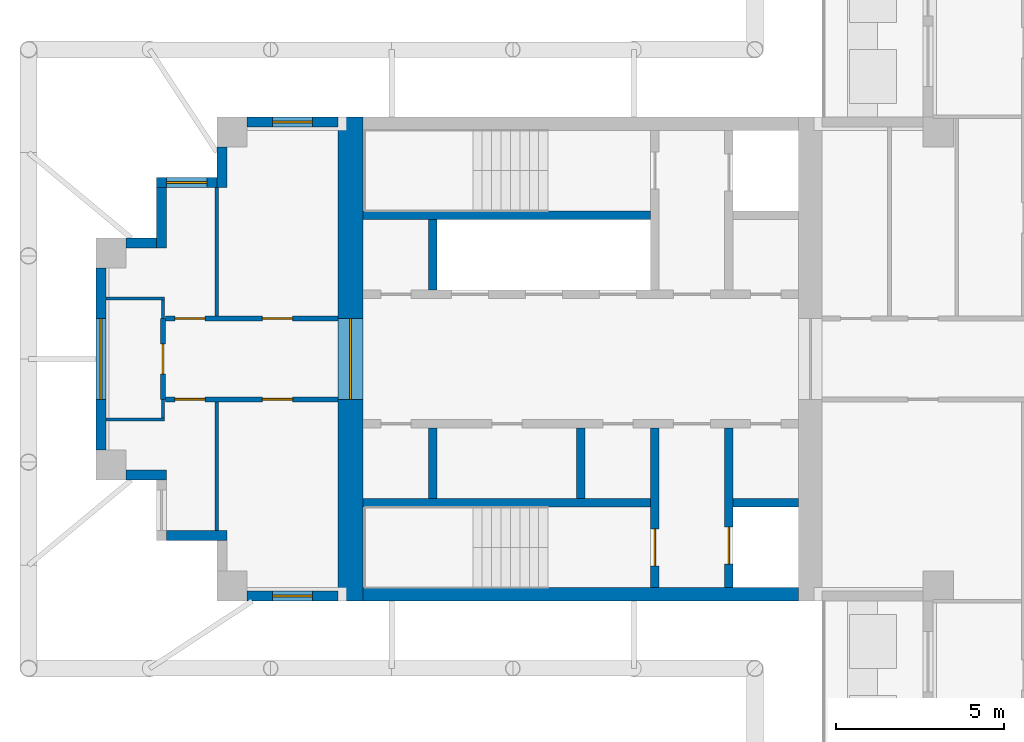
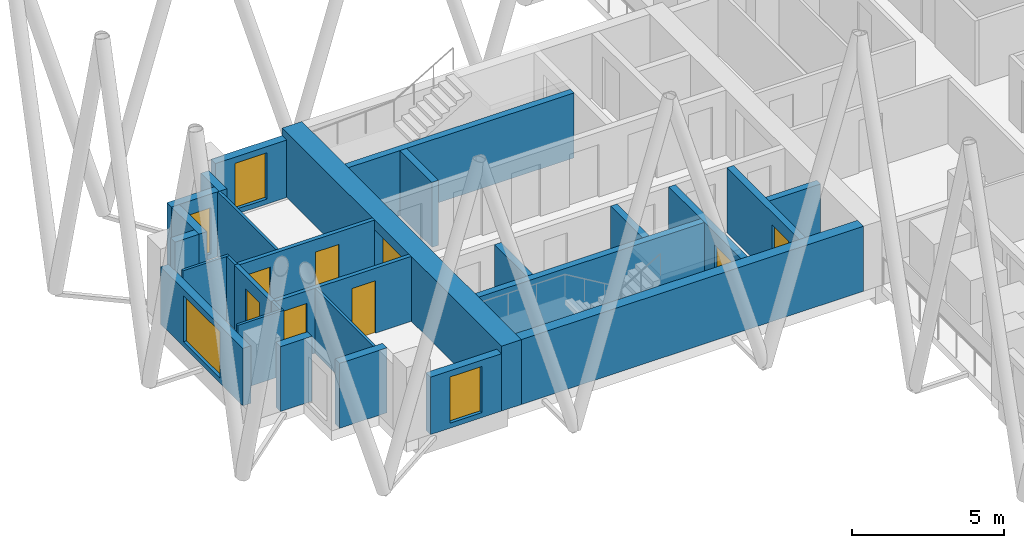
# One storey, part 3 of 11: 28 walls, 8 doors, 4 windows, 12 openings.
"""IFC4 building model written with IfcOpenShell, lengths in metres."""

import ifcopenshell
import ifcopenshell.guid

model = None  # the IFC model being written
_history = None  # IfcOwnerHistory: only IFC2X3 demands one
_inside = {}  # id of a spatial element -> (the spatial element, [elements in it])
_under = {}  # id of a project, library or spatial element -> (it, [spatial elements below it])
_declared = {}  # id of a project -> (the project, [libraries it declares])
_typed = {}  # id of a type object -> (the type object, [elements of that type])
_made_of = {}  # id of a material, layer set ... -> (it, [elements and type objects made of it])


def new_model(schema):
    """Start an empty IFC model of exactly this schema.

    Asked for "IFC4X3", IfcOpenShell would pick the latest addendum, in which some entities
    have other attributes; the version numbers below select the first issue.
    IFC2X3 requires an IfcOwnerHistory on every rooted entity: one is made here for all.
    """
    global model, _history
    if schema == "IFC4X3":
        model = ifcopenshell.file(schema_version=(4, 3, 0, 0))
    else:
        model = ifcopenshell.file(schema=schema)
    _inside.clear()
    _under.clear()
    _declared.clear()
    _typed.clear()
    _made_of.clear()
    _history = None
    if model.schema == "IFC2X3":
        org = make("IfcOrganization", Name="unknown")
        user = make(
            "IfcPersonAndOrganization",
            ThePerson=make("IfcPerson", FamilyName="unknown"),
            TheOrganization=org,
        )
        app = make(
            "IfcApplication",
            ApplicationDeveloper=org,
            Version="unknown",
            ApplicationFullName="unknown",
            ApplicationIdentifier="unknown",
        )
        _history = make(
            "IfcOwnerHistory",
            OwningUser=user,
            OwningApplication=app,
            ChangeAction="ADDED",
            CreationDate=0,
        )
    return model


def make(cls, **values):
    """One entity of the class cls with the attributes given. An attribute that is None is left unset."""
    return model.create_entity(
        cls, **{name: value for name, value in values.items() if value is not None}
    )


def rooted(cls, **values):
    """An entity with a GlobalId (a new one), such as an element, a storey or a relation."""
    return make(cls, GlobalId=ifcopenshell.guid.new(), OwnerHistory=_history, **values)


def si_unit(unit_type, name, prefix=None):
    """IfcSIUnit, for example si_unit("LENGTHUNIT", "METRE", prefix="MILLI")."""
    return make("IfcSIUnit", UnitType=unit_type, Prefix=prefix, Name=name)


def assignment(units):
    """IfcUnitAssignment: the units of a project."""
    return None if units is None else make("IfcUnitAssignment", Units=units)


def point(xyz):
    """IfcCartesianPoint."""
    return None if xyz is None else make("IfcCartesianPoint", Coordinates=xyz)


def direction(xyz):
    """IfcDirection."""
    return None if xyz is None else make("IfcDirection", DirectionRatios=xyz)


def frame(location, z_axis=None, x_axis=None):
    """IfcAxis2Placement3D, a coordinate frame: its origin and axes. An axis left out is left unset."""
    return make(
        "IfcAxis2Placement3D",
        Location=point(location),
        Axis=direction(z_axis),
        RefDirection=direction(x_axis),
    )


def frame_2d(location, x_axis=None):
    """IfcAxis2Placement2D, a coordinate frame in the plane: its origin and x axis."""
    return make(
        "IfcAxis2Placement2D", Location=point(location), RefDirection=direction(x_axis)
    )


def origin():
    """The frame at (0, 0, 0) with its axes left unset."""
    return frame((0.0, 0.0, 0.0))


def place(relative_to, where):
    """IfcLocalPlacement: puts the frame where relative to a parent placement (None: the world)."""
    return make(
        "IfcLocalPlacement", PlacementRelTo=relative_to, RelativePlacement=where
    )


def context(
    kind, dimensions, precision=None, world=None, true_north=None, identifier=None
):
    """IfcGeometricRepresentationContext, for example the 3D "Model" context."""
    return make(
        "IfcGeometricRepresentationContext",
        ContextIdentifier=identifier,
        ContextType=kind,
        CoordinateSpaceDimension=dimensions,
        Precision=precision,
        WorldCoordinateSystem=world,
        TrueNorth=true_north,
    )


def subcontext(parent, identifier, kind, view, scale=None):
    """IfcGeometricRepresentationSubContext, for example "Body" below "Model"."""
    return make(
        "IfcGeometricRepresentationSubContext",
        ContextIdentifier=identifier,
        ContextType=kind,
        ParentContext=parent,
        TargetScale=scale,
        TargetView=view,
    )


def project(units=None, contexts=None):
    """IfcProject with its units and contexts."""
    return rooted(
        "IfcProject",
        Name="project",
        RepresentationContexts=contexts,
        UnitsInContext=assignment(units),
    )


def spatial(cls, under=None, at=None, **own):
    """A site, building, storey or space (cls), placed at a placement, below another one or the project."""
    s = rooted(cls, ObjectPlacement=at, **own)
    if under is not None:
        _under.setdefault(under.id(), (under, []))[1].append(s)
    return s


def profile(cls, at=None, kind="AREA", **sizes):
    """A parametric profile (cls). Its sizes go by their IFC names, for example OverallWidth=200.0."""
    return make(cls, ProfileType=kind, Position=at, **sizes)


def rectangle(**sizes):
    """IfcRectangleProfileDef."""
    return profile("IfcRectangleProfileDef", **sizes)


def extrude(swept, where, along, depth):
    """IfcExtrudedAreaSolid: the profile swept, set in the frame where, extruded along a direction by depth."""
    return make(
        "IfcExtrudedAreaSolid",
        SweptArea=swept,
        Position=where,
        ExtrudedDirection=direction(along),
        Depth=depth,
    )


def shape(context_of_items, identifier, shape_type, items):
    """IfcShapeRepresentation: the items that make up one representation, for example the "Body"."""
    return make(
        "IfcShapeRepresentation",
        ContextOfItems=context_of_items,
        RepresentationIdentifier=identifier,
        RepresentationType=shape_type,
        Items=items,
    )


def material(Name=None, Category=None):
    """IfcMaterial."""
    return make("IfcMaterial", Name=Name, Category=Category)


def layer(
    of_material, thickness, ventilated=None, Name=None, Category=None, Priority=None
):
    """IfcMaterialLayer: one layer of a wall or slab, of a material (None: an air gap)."""
    return make(
        "IfcMaterialLayer",
        Material=of_material,
        LayerThickness=thickness,
        IsVentilated=ventilated,
        Name=Name,
        Category=Category,
        Priority=Priority,
    )


def layer_set(layers, Name=None):
    """IfcMaterialLayerSet."""
    return make("IfcMaterialLayerSet", MaterialLayers=layers, LayerSetName=Name)


def made_of(thing, what):
    """Note that an element or type object is made of a material, layer set ...; save() writes the relation."""
    if what is not None:
        _made_of.setdefault(what.id(), (what, []))[1].append(thing)
    return thing


def type_object(cls, material=None, **own):
    """A type object (cls), such as IfcWallType, which elements share."""
    return made_of(rooted(cls, **own), material)


def element(
    cls,
    number,
    at=None,
    inside=None,
    cuts=None,
    type_object=None,
    material=None,
    context=None,
    identifier="Body",
    shape_type=None,
    held_by="IfcProductDefinitionShape",
    body=None,
    shapes=None,
    **own,
):
    """One element of the class cls, such as IfcWall. Its Tag is "e" and its number.

    at: its placement. inside: the storey or other place that contains it. cuts: it is an
    opening in that element (IfcRelVoidsElement). A single representation is given by context,
    identifier, shape_type and body (its items); several are given by shapes. held_by: the class
    of the entity that holds the representations. save() writes the other relations.
    """
    e = rooted(cls, Tag="e%d" % number, ObjectPlacement=at, **own)
    if body is not None:
        shapes = [shape(context, identifier, shape_type, body)]
    if shapes is not None:
        e.Representation = make(held_by, Representations=shapes)
    if inside is not None:
        _inside.setdefault(inside.id(), (inside, []))[1].append(e)
    if cuts is not None:
        rooted(
            "IfcRelVoidsElement", RelatingBuildingElement=cuts, RelatedOpeningElement=e
        )
    if type_object is not None:
        _typed.setdefault(type_object.id(), (type_object, []))[1].append(e)
    return made_of(e, material)


def fill(opening, filler):
    """IfcRelFillsElement: the door or window that sits in an opening."""
    return rooted(
        "IfcRelFillsElement",
        RelatingOpeningElement=opening,
        RelatedBuildingElement=filler,
    )


def aggregate(whole, parts):
    """IfcRelAggregates: a whole, such as a stair, and the parts it consists of."""
    return rooted("IfcRelAggregates", RelatingObject=whole, RelatedObjects=parts)


def save(model, path):
    """Write the relations noted so far, then the file.

    IfcRelAggregates (storeys below a building ...), IfcRelContainedInSpatialStructure (elements
    in a storey), IfcRelDefinesByType, IfcRelAssociatesMaterial and IfcRelDeclares: one each for
    every whole, place, type object, material and project.
    """
    for whole, parts in _under.values():
        aggregate(whole, parts)
    for where, things in _inside.values():
        rooted(
            "IfcRelContainedInSpatialStructure",
            RelatedElements=things,
            RelatingStructure=where,
        )
    for kind, things in _typed.values():
        rooted("IfcRelDefinesByType", RelatedObjects=things, RelatingType=kind)
    for what, things in _made_of.values():
        rooted("IfcRelAssociatesMaterial", RelatedObjects=things, RelatingMaterial=what)
    for by, libraries in _declared.values():
        rooted("IfcRelDeclares", RelatingContext=by, RelatedDefinitions=libraries)
    model.write(path)


model = new_model("IFC4")

# Units and contexts
model_context = context("Model", 3, precision=1e-05, world=origin(), true_north=direction((0.0, 1.0)))
body_context = subcontext(model_context, "Body", "Model", "MODEL_VIEW")
ifc_project = project(units=[si_unit("LENGTHUNIT", "METRE"), si_unit("AREAUNIT", "SQUARE_METRE"), si_unit("VOLUMEUNIT", "CUBIC_METRE"), si_unit("PLANEANGLEUNIT", "RADIAN"), si_unit("MASSUNIT", "GRAM", prefix="KILO")], contexts=[model_context])

# Site, building, storey
site_placement = place(None, origin())
site = spatial("IfcSite", under=ifc_project, at=site_placement, CompositionType="ELEMENT")
building_placement = place(site_placement, origin())
building = spatial("IfcBuilding", under=site, at=building_placement, Name="Fustian Cross Tower", CompositionType="ELEMENT")
storey_placement = place(building_placement, frame((0.0, 0.0, 210.89990234375)))
storey = spatial("IfcBuildingStorey", under=building, at=storey_placement, Name="L66", CompositionType="ELEMENT", Elevation=210.89990234375)

# Wall, opening, door
ifc_material_1 = material(Name="Plasterboard on steel stud", Category="steel")
ifc_layer_1 = layer(ifc_material_1, 0.14990234375)
ifc_layer_set_1 = layer_set([ifc_layer_1], Name="Plasterboard on steel stud")
wall_type_1 = type_object("IfcWallType", Name="COMPARTMENT WALL 150 EI 60", PredefinedType="PARTITIONING", material=ifc_layer_set_1)
wall_1_placement = place(storey_placement, frame((-26.800048828125, -1.199951171875, 0.0), z_axis=(0.0, 0.0, 1.0), x_axis=(0.0, 1.0, 0.0)))
wall_1 = element("IfcWall", 1, at=wall_1_placement, inside=storey, type_object=wall_type_1, Name="Partition 4", PredefinedType="PARTITIONING", context=body_context, shape_type="SweptSolid", body=[
    extrude(rectangle(XDim=2.39990234375, YDim=0.14990234375, at=frame_2d((1.199951171875, 0.0))), origin(), (0.0, 0.0, 1.0), 2.60009765625),
])
opening_1_placement = place(wall_1_placement, frame((0.75, 0.0, 0.0)))
opening_1 = element("IfcOpeningElement", 2, at=opening_1_placement, cuts=wall_1, Name="Opening D30025", PredefinedType="OPENING", context=body_context, shape_type="SweptSolid", body=[
    extrude(rectangle(XDim=0.89990234375, YDim=2.10009765625, at=frame_2d((0.449951171875, 1.050048828125))), frame((0.0, 0.0849609375, 0.0), z_axis=(0.0, -1.0, 0.0), x_axis=(1.0, 0.0, 0.0)), (0.0, 0.0, 1.0), 0.169921875),
])
ifc_material_2 = material(Name="Timber fire door set", Category="wood")
door_type_1 = type_object("IfcDoorType", Name="FIRE SWING DOOR 900 FD30S", OperationType="SINGLE_SWING_LEFT", PredefinedType="DOOR", material=ifc_material_2)
door_1_placement = place(opening_1_placement, origin())
door_1 = element("IfcDoor", 3, at=door_1_placement, inside=storey, type_object=door_type_1, Name="Door D30025", OperationType="SINGLE_SWING_LEFT", OverallHeight=2.10009765625, OverallWidth=0.89990234375, PredefinedType="DOOR", context=body_context, shape_type="SweptSolid", body=[
    extrude(rectangle(XDim=0.89990234375, YDim=2.10009765625, at=frame_2d((0.449951171875, 1.050048828125))), frame((0.0, 0.02490234375, 0.0), z_axis=(0.0, -1.0, 0.0), x_axis=(1.0, 0.0, 0.0)), (0.0, 0.0, 1.0), 0.050048828125),
])
fill(opening_1, door_1)

# Wall, openings, doors
wall_2_placement = place(storey_placement, frame((-26.72509765625, -1.199951171875, 0.0), z_axis=(0.0, 0.0, 1.0), x_axis=(1.0, 0.0, 0.0)))
wall_2 = element("IfcWall", 4, at=wall_2_placement, inside=storey, type_object=wall_type_1, Name="Partition 5", PredefinedType="PARTITIONING", context=body_context, shape_type="SweptSolid", body=[
    extrude(rectangle(XDim=5.125, YDim=0.14990234375, at=frame_2d((2.5625, 0.0))), origin(), (0.0, 0.0, 1.0), 2.60009765625),
])
opening_2_placement = place(wall_2_placement, frame((2.875, 0.0, 0.0)))
opening_2 = element("IfcOpeningElement", 5, at=opening_2_placement, cuts=wall_2, Name="Opening D30026", PredefinedType="OPENING", context=body_context, shape_type="SweptSolid", body=[
    extrude(rectangle(XDim=0.89990234375, YDim=2.10009765625, at=frame_2d((0.449951171875, 1.050048828125))), frame((0.0, 0.0849609375, 0.0), z_axis=(0.0, -1.0, 0.0), x_axis=(1.0, 0.0, 0.0)), (0.0, 0.0, 1.0), 0.169921875),
])
opening_3_placement = place(wall_2_placement, frame((0.27490234375, 0.0, 0.0)))
opening_3 = element("IfcOpeningElement", 6, at=opening_3_placement, cuts=wall_2, Name="Opening D30027", PredefinedType="OPENING", context=body_context, shape_type="SweptSolid", body=[
    extrude(rectangle(XDim=0.89990234375, YDim=2.10009765625, at=frame_2d((0.449951171875, 1.050048828125))), frame((0.0, 0.0849609375, 0.0), z_axis=(0.0, -1.0, 0.0), x_axis=(1.0, 0.0, 0.0)), (0.0, 0.0, 1.0), 0.169921875),
])
door_2_placement = place(opening_2_placement, frame((0.89990234375, 0.0, 0.0), z_axis=(0.0, 0.0, 1.0), x_axis=(-1.0, 0.0, 0.0)))
door_2 = element("IfcDoor", 7, at=door_2_placement, inside=storey, type_object=door_type_1, Name="Door D30026", OperationType="SINGLE_SWING_RIGHT", OverallHeight=2.10009765625, OverallWidth=0.89990234375, PredefinedType="DOOR", context=body_context, shape_type="SweptSolid", body=[
    extrude(rectangle(XDim=0.89990234375, YDim=2.10009765625, at=frame_2d((0.449951171875, 1.050048828125))), frame((0.0, 0.02490234375, 0.0), z_axis=(0.0, -1.0, 0.0), x_axis=(1.0, 0.0, 0.0)), (0.0, 0.0, 1.0), 0.050048828125),
])
fill(opening_2, door_2)
door_3_placement = place(opening_3_placement, frame((0.89990234375, 0.0, 0.0), z_axis=(0.0, 0.0, 1.0), x_axis=(-1.0, 0.0, 0.0)))
door_3 = element("IfcDoor", 8, at=door_3_placement, inside=storey, type_object=door_type_1, Name="Door D30027", OperationType="SINGLE_SWING_RIGHT", OverallHeight=2.10009765625, OverallWidth=0.89990234375, PredefinedType="DOOR", context=body_context, shape_type="SweptSolid", body=[
    extrude(rectangle(XDim=0.89990234375, YDim=2.10009765625, at=frame_2d((0.449951171875, 1.050048828125))), frame((0.0, 0.02490234375, 0.0), z_axis=(0.0, -1.0, 0.0), x_axis=(1.0, 0.0, 0.0)), (0.0, 0.0, 1.0), 0.050048828125),
])
fill(opening_3, door_3)

wall_3_placement = place(storey_placement, frame((-26.72509765625, 1.199951171875, 0.0), z_axis=(0.0, 0.0, 1.0), x_axis=(1.0, 0.0, 0.0)))
wall_3 = element("IfcWall", 9, at=wall_3_placement, inside=storey, type_object=wall_type_1, Name="Partition 7", PredefinedType="PARTITIONING", context=body_context, shape_type="SweptSolid", body=[
    extrude(rectangle(XDim=5.125, YDim=0.14990234375, at=frame_2d((2.5625, 0.0))), origin(), (0.0, 0.0, 1.0), 2.60009765625),
])
opening_4_placement = place(wall_3_placement, frame((2.875, 0.0, 0.0)))
opening_4 = element("IfcOpeningElement", 10, at=opening_4_placement, cuts=wall_3, Name="Opening D30028", PredefinedType="OPENING", context=body_context, shape_type="SweptSolid", body=[
    extrude(rectangle(XDim=0.89990234375, YDim=2.10009765625, at=frame_2d((0.449951171875, 1.050048828125))), frame((0.0, 0.0849609375, 0.0), z_axis=(0.0, -1.0, 0.0), x_axis=(1.0, 0.0, 0.0)), (0.0, 0.0, 1.0), 0.169921875),
])
opening_5_placement = place(wall_3_placement, frame((0.27490234375, 0.0, 0.0)))
opening_5 = element("IfcOpeningElement", 11, at=opening_5_placement, cuts=wall_3, Name="Opening D30029", PredefinedType="OPENING", context=body_context, shape_type="SweptSolid", body=[
    extrude(rectangle(XDim=0.89990234375, YDim=2.10009765625, at=frame_2d((0.449951171875, 1.050048828125))), frame((0.0, 0.0849609375, 0.0), z_axis=(0.0, -1.0, 0.0), x_axis=(1.0, 0.0, 0.0)), (0.0, 0.0, 1.0), 0.169921875),
])
door_4_placement = place(opening_4_placement, origin())
door_4 = element("IfcDoor", 12, at=door_4_placement, inside=storey, type_object=door_type_1, Name="Door D30028", OperationType="SINGLE_SWING_LEFT", OverallHeight=2.10009765625, OverallWidth=0.89990234375, PredefinedType="DOOR", context=body_context, shape_type="SweptSolid", body=[
    extrude(rectangle(XDim=0.89990234375, YDim=2.10009765625, at=frame_2d((0.449951171875, 1.050048828125))), frame((0.0, 0.02490234375, 0.0), z_axis=(0.0, -1.0, 0.0), x_axis=(1.0, 0.0, 0.0)), (0.0, 0.0, 1.0), 0.050048828125),
])
fill(opening_4, door_4)
door_5_placement = place(opening_5_placement, origin())
door_5 = element("IfcDoor", 13, at=door_5_placement, inside=storey, type_object=door_type_1, Name="Door D30029", OperationType="SINGLE_SWING_LEFT", OverallHeight=2.10009765625, OverallWidth=0.89990234375, PredefinedType="DOOR", context=body_context, shape_type="SweptSolid", body=[
    extrude(rectangle(XDim=0.89990234375, YDim=2.10009765625, at=frame_2d((0.449951171875, 1.050048828125))), frame((0.0, 0.02490234375, 0.0), z_axis=(0.0, -1.0, 0.0), x_axis=(1.0, 0.0, 0.0)), (0.0, 0.0, 1.0), 0.050048828125),
])
fill(opening_5, door_5)

# Wall, opening, door
ifc_material_3 = material(Name="Concrete C50/60", Category="concrete")
ifc_layer_2 = layer(ifc_material_3, 0.75)
ifc_layer_set_2 = layer_set([ifc_layer_2], Name="Concrete C50/60")
wall_type_2 = type_object("IfcWallType", Name="CORE END WALL 750 C50/60", PredefinedType="SHEAR", material=ifc_layer_set_2)
wall_4_placement = place(storey_placement, frame((-21.22509765625, -7.199951171875, 0.0), z_axis=(0.0, 0.0, 1.0), x_axis=(0.0, 1.0, 0.0)))
wall_4 = element("IfcWall", 14, at=wall_4_placement, inside=storey, type_object=wall_type_2, Name="Core end wall", PredefinedType="SHEAR", context=body_context, shape_type="SweptSolid", body=[
    extrude(rectangle(XDim=14.39990234375, YDim=0.75, at=frame_2d((7.199951171875, 0.0))), origin(), (0.0, 0.0, 1.0), 2.60009765625),
])
opening_6_placement = place(wall_4_placement, frame((6.0, 0.0, 0.0)))
opening_6 = element("IfcOpeningElement", 15, at=opening_6_placement, cuts=wall_4, Name="Opening CD-28-30", PredefinedType="OPENING", context=body_context, shape_type="SweptSolid", body=[
    extrude(rectangle(XDim=2.39990234375, YDim=2.199951171875, at=frame_2d((1.199951171875, 1.10009765625))), frame((0.0, 0.385009765625, 0.0), z_axis=(0.0, -1.0, 0.0), x_axis=(1.0, 0.0, 0.0)), (0.0, 0.0, 1.0), 0.77001953125),
])
ifc_material_4 = material(Name="Steel", Category="steel")
door_type_2 = type_object("IfcDoorType", Name="FIRE DOOR FD30S DOUBLE 2400X2200", OperationType="DOUBLE_DOOR_DOUBLE_SWING", PredefinedType="DOOR", material=ifc_material_4)
door_6_placement = place(opening_6_placement, frame((2.39990234375, 0.0, 0.0), z_axis=(0.0, 0.0, 1.0), x_axis=(-1.0, 0.0, 0.0)))
door_6 = element("IfcDoor", 16, at=door_6_placement, inside=storey, type_object=door_type_2, Name="Core door CD-28-30", OperationType="DOUBLE_DOOR_DOUBLE_SWING", OverallHeight=2.199951171875, OverallWidth=2.39990234375, PredefinedType="DOOR", context=body_context, shape_type="SweptSolid", body=[
    extrude(rectangle(XDim=2.39990234375, YDim=2.199951171875, at=frame_2d((1.199951171875, 1.10009765625))), frame((0.0, 0.02490234375, 0.0), z_axis=(0.0, -1.0, 0.0), x_axis=(1.0, 0.0, 0.0)), (0.0, 0.0, 1.0), 0.050048828125),
])
fill(opening_6, door_6)

# Walls
ifc_material_5 = material(Name="Concrete C50/60", Category="concrete")
ifc_layer_3 = layer(ifc_material_5, 0.39990234375)
ifc_layer_set_3 = layer_set([ifc_layer_3], Name="Concrete C50/60")
wall_type_3 = type_object("IfcWallType", Name="CORE FACADE WALL 400 C50/60", PredefinedType="SHEAR", material=ifc_layer_set_3)
wall_5_placement = place(storey_placement, frame((-7.89990234375, -7.0, 0.0), z_axis=(0.0, 0.0, 1.0), x_axis=(-1.0, 0.0, 0.0)))
element("IfcWall", 17, at=wall_5_placement, inside=storey, type_object=wall_type_3, Name="Core facade wall", PredefinedType="SHEAR", context=body_context, shape_type="SweptSolid", body=[
    extrude(rectangle(XDim=12.9501953125, YDim=0.39990234375, at=frame_2d((6.47509765625, 0.0))), origin(), (0.0, 0.0, 1.0), 2.60009765625),
])
ifc_material_6 = material(Name="Concrete C50/60", Category="concrete")
ifc_layer_4 = layer(ifc_material_6, 0.25)
ifc_layer_set_4 = layer_set([ifc_layer_4], Name="Concrete C50/60")
wall_type_4 = type_object("IfcWallType", Name="CORE SHAFT WALL 250 C50/60", PredefinedType="SHEAR", material=ifc_layer_set_4)
wall_6_placement = place(storey_placement, frame((-12.300048828125, 4.27490234375, 0.0), z_axis=(0.0, 0.0, 1.0), x_axis=(-1.0, 0.0, 0.0)))
element("IfcWall", 18, at=wall_6_placement, inside=storey, type_object=wall_type_4, Name="Core shaft wall", PredefinedType="SHEAR", context=body_context, shape_type="SweptSolid", body=[
    extrude(rectangle(XDim=8.550048828125, YDim=0.25, at=frame_2d((4.27490234375, 0.0))), origin(), (0.0, 0.0, 1.0), 2.60009765625),
])
wall_7_placement = place(storey_placement, frame((-7.89990234375, -4.27490234375, 0.0), z_axis=(0.0, 0.0, 1.0), x_axis=(-1.0, 0.0, 0.0)))
element("IfcWall", 19, at=wall_7_placement, inside=storey, type_object=wall_type_4, Name="Core shaft wall", PredefinedType="SHEAR", context=body_context, shape_type="SweptSolid", body=[
    extrude(rectangle(XDim=1.9501953125, YDim=0.25, at=frame_2d((0.97509765625, 0.0))), origin(), (0.0, 0.0, 1.0), 2.60009765625),
])
wall_8_placement = place(storey_placement, frame((-12.300048828125, -4.27490234375, 0.0), z_axis=(0.0, 0.0, 1.0), x_axis=(-1.0, 0.0, 0.0)))
element("IfcWall", 20, at=wall_8_placement, inside=storey, type_object=wall_type_4, Name="Core shaft wall", PredefinedType="SHEAR", context=body_context, shape_type="SweptSolid", body=[
    extrude(rectangle(XDim=8.550048828125, YDim=0.25, at=frame_2d((4.27490234375, 0.0))), origin(), (0.0, 0.0, 1.0), 2.60009765625),
])

# Wall, opening, door
wall_9_placement = place(storey_placement, frame((-9.97509765625, -2.050048828125, 0.0), z_axis=(0.0, 0.0, 1.0), x_axis=(0.0, -1.0, 0.0)))
wall_9 = element("IfcWall", 21, at=wall_9_placement, inside=storey, type_object=wall_type_4, Name="Core shaft wall", PredefinedType="SHEAR", context=body_context, shape_type="SweptSolid", body=[
    extrude(rectangle(XDim=4.75, YDim=0.25, at=frame_2d((2.375, 0.0))), origin(), (0.0, 0.0, 1.0), 2.60009765625),
])
opening_7_placement = place(wall_9_placement, frame((2.949951171875, 0.0, 0.0)))
opening_7 = element("IfcOpeningElement", 22, at=opening_7_placement, cuts=wall_9, Name="Opening LD", PredefinedType="OPENING", context=body_context, shape_type="SweptSolid", body=[
    extrude(rectangle(XDim=1.10009765625, YDim=2.10009765625, at=frame_2d((0.550048828125, 1.050048828125))), frame((0.0, 0.135009765625, 0.0), z_axis=(0.0, -1.0, 0.0), x_axis=(1.0, 0.0, 0.0)), (0.0, 0.0, 1.0), 0.27001953125),
])
ifc_material_7 = material(Name="Stainless steel", Category="steel")
door_type_3 = type_object("IfcDoorType", Name="LIFT LANDING DOOR 1100X2100", OperationType="SLIDING_TO_LEFT", PredefinedType="DOOR", material=ifc_material_7)
door_7_placement = place(opening_7_placement, origin())
door_7 = element("IfcDoor", 23, at=door_7_placement, inside=storey, type_object=door_type_3, Name="Landing door SV1W", OperationType="SLIDING_TO_LEFT", OverallHeight=2.10009765625, OverallWidth=1.10009765625, PredefinedType="DOOR", context=body_context, shape_type="SweptSolid", body=[
    extrude(rectangle(XDim=1.10009765625, YDim=2.10009765625, at=frame_2d((0.550048828125, 1.050048828125))), frame((0.0, 0.02490234375, 0.0), z_axis=(0.0, -1.0, 0.0), x_axis=(1.0, 0.0, 0.0)), (0.0, 0.0, 1.0), 0.050048828125),
])
fill(opening_7, door_7)

wall_10_placement = place(storey_placement, frame((-12.175048828125, -2.050048828125, 0.0), z_axis=(0.0, 0.0, 1.0), x_axis=(0.0, -1.0, 0.0)))
wall_10 = element("IfcWall", 24, at=wall_10_placement, inside=storey, type_object=wall_type_4, Name="Core shaft wall", PredefinedType="SHEAR", context=body_context, shape_type="SweptSolid", body=[
    extrude(rectangle(XDim=4.75, YDim=0.25, at=frame_2d((2.375, 0.0))), origin(), (0.0, 0.0, 1.0), 2.60009765625),
])
opening_8_placement = place(wall_10_placement, frame((3.0, 0.0, 0.0)))
opening_8 = element("IfcOpeningElement", 25, at=opening_8_placement, cuts=wall_10, Name="Opening CD-28-24", PredefinedType="OPENING", context=body_context, shape_type="SweptSolid", body=[
    extrude(rectangle(XDim=1.10009765625, YDim=2.10009765625, at=frame_2d((0.550048828125, 1.050048828125))), frame((0.0, 0.135009765625, 0.0), z_axis=(0.0, -1.0, 0.0), x_axis=(1.0, 0.0, 0.0)), (0.0, 0.0, 1.0), 0.27001953125),
])
ifc_material_8 = material(Name="Steel", Category="steel")
door_type_4 = type_object("IfcDoorType", Name="FIRE DOOR FD60S 1100X2100", OperationType="SINGLE_SWING_LEFT", PredefinedType="DOOR", material=ifc_material_8)
door_8_placement = place(opening_8_placement, frame((1.10009765625, 0.0, 0.0), z_axis=(0.0, 0.0, 1.0), x_axis=(-1.0, 0.0, 0.0)))
door_8 = element("IfcDoor", 26, at=door_8_placement, inside=storey, type_object=door_type_4, Name="Core door CD-28-24", OperationType="SINGLE_SWING_RIGHT", OverallHeight=2.10009765625, OverallWidth=1.10009765625, PredefinedType="DOOR", context=body_context, shape_type="SweptSolid", body=[
    extrude(rectangle(XDim=1.10009765625, YDim=2.10009765625, at=frame_2d((0.550048828125, 1.050048828125))), frame((0.0, 0.02490234375, 0.0), z_axis=(0.0, -1.0, 0.0), x_axis=(1.0, 0.0, 0.0)), (0.0, 0.0, 1.0), 0.050048828125),
])
fill(opening_8, door_8)

# Walls
ifc_material_9 = material(Name="Plasterboard on steel stud", Category="steel")
ifc_layer_5 = layer(ifc_material_9, 0.10009765625)
ifc_layer_set_5 = layer_set([ifc_layer_5], Name="Plasterboard on steel stud")
wall_type_5 = type_object("IfcWallType", Name="PARTITION 100 STUD", PredefinedType="PARTITIONING", material=ifc_layer_set_5)
for number, where, z_axis, x_axis, name in (
    (27, (-28.5, -1.800048828125, 0.0), (0.0, 0.0, 1.0), (1.0, 0.0, 0.0), "Partition 1"),
    (28, (-28.5, 1.800048828125, 0.0), (0.0, 0.0, 1.0), (1.0, 0.0, 0.0), "Partition 2"),
):
    element("IfcWall", number, at=place(storey_placement, frame(where, z_axis=z_axis, x_axis=x_axis)), inside=storey, type_object=wall_type_5, Name=name, PredefinedType="PARTITIONING", context=body_context, shape_type="SweptSolid", body=[
        extrude(rectangle(XDim=1.75, YDim=0.10009765625, at=frame_2d((0.875, 0.0))), origin(), (0.0, 0.0, 1.0), 2.60009765625),
    ])
for number, where, z_axis, x_axis, name in (
    (29, (-26.800048828125, -1.75, 0.0), (0.0, 0.0, 1.0), (0.0, 1.0, 0.0), "Partition 3"),
    (30, (-26.800048828125, 1.199951171875, 0.0), (0.0, 0.0, 1.0), (0.0, 1.0, 0.0), "Partition 6"),
):
    element("IfcWall", number, at=place(storey_placement, frame(where, z_axis=z_axis, x_axis=x_axis)), inside=storey, type_object=wall_type_5, Name=name, PredefinedType="PARTITIONING", context=body_context, shape_type="SweptSolid", body=[
        extrude(rectangle(XDim=0.550048828125, YDim=0.10009765625, at=frame_2d((0.27490234375, 0.0))), origin(), (0.0, 0.0, 1.0), 2.60009765625),
    ])
for number, where, z_axis, x_axis, name in (
    (31, (-25.199951171875, -5.10009765625, 0.0), (0.0, 0.0, 1.0), (0.0, 1.0, 0.0), "Partition 8"),
    (32, (-25.199951171875, 1.27490234375, 0.0), (0.0, 0.0, 1.0), (0.0, 1.0, 0.0), "Partition 9"),
):
    element("IfcWall", number, at=place(storey_placement, frame(where, z_axis=z_axis, x_axis=x_axis)), inside=storey, type_object=wall_type_5, Name=name, PredefinedType="PARTITIONING", context=body_context, shape_type="SweptSolid", body=[
        extrude(rectangle(XDim=3.8251953125, YDim=0.10009765625, at=frame_2d((1.91259765625, 0.0))), origin(), (0.0, 0.0, 1.0), 2.60009765625),
    ])
ifc_material_10 = material(Name="Concrete C40/50", Category="concrete")
ifc_layer_6 = layer(ifc_material_10, 0.25)
ifc_layer_set_6 = layer_set([ifc_layer_6], Name="Concrete C40/50")
wall_type_6 = type_object("IfcWallType", Name="SHAFT PARTITION WALL 250 C40/50", PredefinedType="PARTITIONING", material=ifc_layer_set_6)
for number, where, z_axis, x_axis, name in (
    (33, (-18.77490234375, 2.050048828125, 0.0), (0.0, 0.0, 1.0), (0.0, 1.0, 0.0), "Core shaft wall"),
    (34, (-14.375, -2.050048828125, 0.0), (0.0, 0.0, 1.0), (0.0, -1.0, 0.0), "Core shaft wall"),
    (35, (-18.77490234375, -2.050048828125, 0.0), (0.0, 0.0, 1.0), (0.0, -1.0, 0.0), "Core shaft wall"),
):
    element("IfcWall", number, at=place(storey_placement, frame(where, z_axis=z_axis, x_axis=x_axis)), inside=storey, type_object=wall_type_6, Name=name, PredefinedType="PARTITIONING", context=body_context, shape_type="SweptSolid", body=[
        extrude(rectangle(XDim=2.099853515625, YDim=0.25, at=frame_2d((1.0498046875, 0.0))), origin(), (0.0, 0.0, 1.0), 2.60009765625),
    ])

# Wall, opening, window
ifc_material_11 = material(Name="Dark aluminium cladding on insulated backing wall", Category="aluminium")
ifc_layer_7 = layer(ifc_material_11, 0.300048828125)
ifc_layer_set_7 = layer_set([ifc_layer_7], Name="Dark aluminium cladding on insulated backing wall")
wall_type_7 = type_object("IfcWallType", Name="XW1 EXTERNAL WALL 300", PredefinedType="SOLIDWALL", material=ifc_layer_set_7)
wall_11_placement = place(storey_placement, frame((-21.60009765625, 7.050048828125, 0.0), z_axis=(0.0, 0.0, 1.0), x_axis=(-1.0, 0.0, 0.0)))
wall_11 = element("IfcWall", 36, at=wall_11_placement, inside=storey, type_object=wall_type_7, Name="External wall", PredefinedType="SOLIDWALL", context=body_context, shape_type="SweptSolid", body=[
    extrude(rectangle(XDim=2.699951171875, YDim=0.300048828125, at=frame_2d((1.35009765625, 0.0))), origin(), (0.0, 0.0, 1.0), 2.300048828125),
])
opening_9_placement = place(wall_11_placement, frame((0.75, 0.0, 0.199951171875)))
opening_9 = element("IfcOpeningElement", 37, at=opening_9_placement, cuts=wall_11, Name="Opening WN3", PredefinedType="OPENING", context=body_context, shape_type="SweptSolid", body=[
    extrude(rectangle(XDim=1.199951171875, YDim=1.85009765625, at=frame_2d((0.60009765625, 0.925048828125))), frame((0.0, 0.159912109375, 0.0), z_axis=(0.0, -1.0, 0.0), x_axis=(1.0, 0.0, 0.0)), (0.0, 0.0, 1.0), 0.320068359375),
])
ifc_material_12 = material(Name="Dark anodised aluminium and double glazing", Category="aluminium")
window_type_1 = type_object("IfcWindowType", Name="WN3 WINDOW 1200X1850", PartitioningType="SINGLE_PANEL", PredefinedType="WINDOW", material=ifc_material_12)
window_1_placement = place(opening_9_placement, origin())
window_1 = element("IfcWindow", 38, at=window_1_placement, inside=storey, type_object=window_type_1, Name="Window", OverallHeight=1.85009765625, OverallWidth=1.199951171875, PartitioningType="SINGLE_PANEL", PredefinedType="WINDOW", context=body_context, shape_type="SweptSolid", body=[
    extrude(rectangle(XDim=1.199951171875, YDim=1.85009765625, at=frame_2d((0.60009765625, 0.925048828125))), frame((0.0, 0.030029296875, 0.0), z_axis=(0.0, -1.0, 0.0), x_axis=(1.0, 0.0, 0.0)), (0.0, 0.0, 1.0), 0.06005859375),
])
fill(opening_9, window_1)

# Wall
wall_12_placement = place(storey_placement, frame((-25.050048828125, 6.300048828125, 0.0), z_axis=(0.0, 0.0, 1.0), x_axis=(0.0, -1.0, 0.0)))
element("IfcWall", 39, at=wall_12_placement, inside=storey, type_object=wall_type_7, Name="External wall", PredefinedType="SOLIDWALL", context=body_context, shape_type="SweptSolid", body=[
    extrude(rectangle(XDim=1.199951171875, YDim=0.300048828125, at=frame_2d((0.60009765625, 0.0))), origin(), (0.0, 0.0, 1.0), 2.60009765625),
])

# Wall, opening, window
wall_13_placement = place(storey_placement, frame((-25.199951171875, 5.25, 0.0), z_axis=(0.0, 0.0, 1.0), x_axis=(-1.0, 0.0, 0.0)))
wall_13 = element("IfcWall", 40, at=wall_13_placement, inside=storey, type_object=wall_type_7, Name="External wall", PredefinedType="SOLIDWALL", context=body_context, shape_type="SweptSolid", body=[
    extrude(rectangle(XDim=1.800048828125, YDim=0.300048828125, at=frame_2d((0.89990234375, 0.0))), origin(), (0.0, 0.0, 1.0), 2.60009765625),
])
opening_10_placement = place(wall_13_placement, frame((0.300048828125, 0.0, 0.199951171875)))
opening_10 = element("IfcOpeningElement", 41, at=opening_10_placement, cuts=wall_13, Name="Opening WN3", PredefinedType="OPENING", context=body_context, shape_type="SweptSolid", body=[
    extrude(rectangle(XDim=1.199951171875, YDim=1.85009765625, at=frame_2d((0.60009765625, 0.925048828125))), frame((0.0, 0.159912109375, 0.0), z_axis=(0.0, -1.0, 0.0), x_axis=(1.0, 0.0, 0.0)), (0.0, 0.0, 1.0), 0.320068359375),
])
window_2_placement = place(opening_10_placement, origin())
window_2 = element("IfcWindow", 42, at=window_2_placement, inside=storey, type_object=window_type_1, Name="Window", OverallHeight=1.85009765625, OverallWidth=1.199951171875, PartitioningType="SINGLE_PANEL", PredefinedType="WINDOW", context=body_context, shape_type="SweptSolid", body=[
    extrude(rectangle(XDim=1.199951171875, YDim=1.85009765625, at=frame_2d((0.60009765625, 0.925048828125))), frame((0.0, 0.030029296875, 0.0), z_axis=(0.0, -1.0, 0.0), x_axis=(1.0, 0.0, 0.0)), (0.0, 0.0, 1.0), 0.06005859375),
])
fill(opening_10, window_2)

# Walls
wall_14_placement = place(storey_placement, frame((-26.85009765625, 5.10009765625, 0.0), z_axis=(0.0, 0.0, 1.0), x_axis=(0.0, -1.0, 0.0)))
element("IfcWall", 43, at=wall_14_placement, inside=storey, type_object=wall_type_7, Name="External wall", PredefinedType="SOLIDWALL", context=body_context, shape_type="SweptSolid", body=[
    extrude(rectangle(XDim=1.800048828125, YDim=0.300048828125, at=frame_2d((0.89990234375, 0.0))), origin(), (0.0, 0.0, 1.0), 2.60009765625),
])
wall_15_placement = place(storey_placement, frame((-27.0, 3.449951171875, 0.0), z_axis=(0.0, 0.0, 1.0), x_axis=(-1.0, 0.0, 0.0)))
element("IfcWall", 44, at=wall_15_placement, inside=storey, type_object=wall_type_7, Name="External wall", PredefinedType="SOLIDWALL", context=body_context, shape_type="SweptSolid", body=[
    extrude(rectangle(XDim=0.89990234375, YDim=0.300048828125, at=frame_2d((0.449951171875, 0.0))), origin(), (0.0, 0.0, 1.0), 2.60009765625),
])

# Wall, opening, window
wall_16_placement = place(storey_placement, frame((-28.64990234375, 2.699951171875, 0.0), z_axis=(0.0, 0.0, 1.0), x_axis=(0.0, -1.0, 0.0)))
wall_16 = element("IfcWall", 45, at=wall_16_placement, inside=storey, type_object=wall_type_7, Name="External wall", PredefinedType="SOLIDWALL", context=body_context, shape_type="SweptSolid", body=[
    extrude(rectangle(XDim=5.39990234375, YDim=0.300048828125, at=frame_2d((2.699951171875, 0.0))), origin(), (0.0, 0.0, 1.0), 2.300048828125),
])
opening_11_placement = place(wall_16_placement, frame((1.5, 0.0, 0.199951171875)))
opening_11 = element("IfcOpeningElement", 46, at=opening_11_placement, cuts=wall_16, Name="Opening WN1", PredefinedType="OPENING", context=body_context, shape_type="SweptSolid", body=[
    extrude(rectangle(XDim=2.39990234375, YDim=1.85009765625, at=frame_2d((1.199951171875, 0.925048828125))), frame((0.0, 0.159912109375, 0.0), z_axis=(0.0, -1.0, 0.0), x_axis=(1.0, 0.0, 0.0)), (0.0, 0.0, 1.0), 0.320068359375),
])
ifc_material_13 = material(Name="Dark anodised aluminium and double glazing", Category="aluminium")
window_type_2 = type_object("IfcWindowType", Name="WN1 WINDOW 2400X1850", PartitioningType="SINGLE_PANEL", PredefinedType="WINDOW", material=ifc_material_13)
window_3_placement = place(opening_11_placement, origin())
window_3 = element("IfcWindow", 47, at=window_3_placement, inside=storey, type_object=window_type_2, Name="Window", OverallHeight=1.85009765625, OverallWidth=2.39990234375, PartitioningType="SINGLE_PANEL", PredefinedType="WINDOW", context=body_context, shape_type="SweptSolid", body=[
    extrude(rectangle(XDim=2.39990234375, YDim=1.85009765625, at=frame_2d((1.199951171875, 0.925048828125))), frame((0.0, 0.030029296875, 0.0), z_axis=(0.0, -1.0, 0.0), x_axis=(1.0, 0.0, 0.0)), (0.0, 0.0, 1.0), 0.06005859375),
])
fill(opening_11, window_3)

# Walls
wall_17_placement = place(storey_placement, frame((-27.89990234375, -3.449951171875, 0.0), z_axis=(0.0, 0.0, 1.0), x_axis=(1.0, 0.0, 0.0)))
element("IfcWall", 48, at=wall_17_placement, inside=storey, type_object=wall_type_7, Name="External wall", PredefinedType="SOLIDWALL", context=body_context, shape_type="SweptSolid", body=[
    extrude(rectangle(XDim=1.199951171875, YDim=0.300048828125, at=frame_2d((0.60009765625, 0.0))), origin(), (0.0, 0.0, 1.0), 2.60009765625),
])
wall_18_placement = place(storey_placement, frame((-26.699951171875, -5.25, 0.0), z_axis=(0.0, 0.0, 1.0), x_axis=(1.0, 0.0, 0.0)))
element("IfcWall", 49, at=wall_18_placement, inside=storey, type_object=wall_type_7, Name="External wall", PredefinedType="SOLIDWALL", context=body_context, shape_type="SweptSolid", body=[
    extrude(rectangle(XDim=1.800048828125, YDim=0.300048828125, at=frame_2d((0.89990234375, 0.0))), origin(), (0.0, 0.0, 1.0), 2.60009765625),
])

# Wall, opening, window
wall_19_placement = place(storey_placement, frame((-24.300048828125, -7.050048828125, 0.0), z_axis=(0.0, 0.0, 1.0), x_axis=(1.0, 0.0, 0.0)))
wall_19 = element("IfcWall", 50, at=wall_19_placement, inside=storey, type_object=wall_type_7, Name="External wall", PredefinedType="SOLIDWALL", context=body_context, shape_type="SweptSolid", body=[
    extrude(rectangle(XDim=2.699951171875, YDim=0.300048828125, at=frame_2d((1.35009765625, 0.0))), origin(), (0.0, 0.0, 1.0), 2.300048828125),
])
opening_12_placement = place(wall_19_placement, frame((0.75, 0.0, 0.199951171875)))
opening_12 = element("IfcOpeningElement", 51, at=opening_12_placement, cuts=wall_19, Name="Opening WN3", PredefinedType="OPENING", context=body_context, shape_type="SweptSolid", body=[
    extrude(rectangle(XDim=1.199951171875, YDim=1.85009765625, at=frame_2d((0.60009765625, 0.925048828125))), frame((0.0, 0.159912109375, 0.0), z_axis=(0.0, -1.0, 0.0), x_axis=(1.0, 0.0, 0.0)), (0.0, 0.0, 1.0), 0.320068359375),
])
window_4_placement = place(opening_12_placement, origin())
window_4 = element("IfcWindow", 52, at=window_4_placement, inside=storey, type_object=window_type_1, Name="Window", OverallHeight=1.85009765625, OverallWidth=1.199951171875, PartitioningType="SINGLE_PANEL", PredefinedType="WINDOW", context=body_context, shape_type="SweptSolid", body=[
    extrude(rectangle(XDim=1.199951171875, YDim=1.85009765625, at=frame_2d((0.60009765625, 0.925048828125))), frame((0.0, 0.030029296875, 0.0), z_axis=(0.0, -1.0, 0.0), x_axis=(1.0, 0.0, 0.0)), (0.0, 0.0, 1.0), 0.06005859375),
])
fill(opening_12, window_4)

save(model, "model.ifc")
